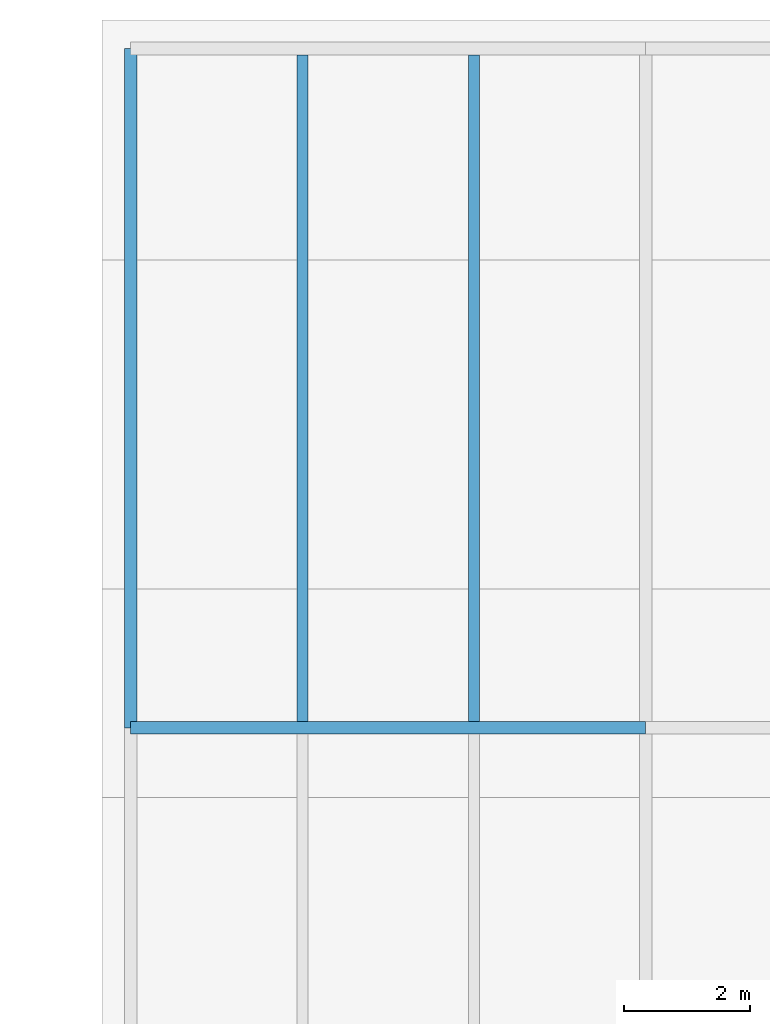
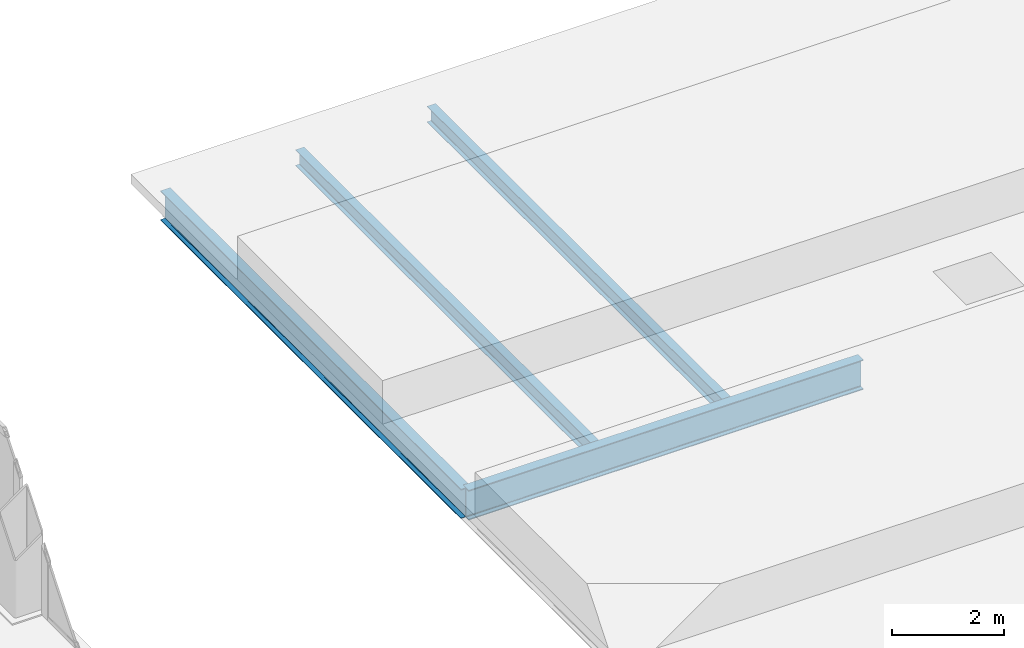
# One storey, part 21 of 30: 4 beams.
"""IFC4 building model written with IfcOpenShell, lengths in metres."""

from ifc_helpers import new_model, si_unit, direction, frame, origin, origin_2d, place, context, subcontext, project, spatial, i_section, extrude, material, material_profile, profile_set, type_object, element, save


model = new_model("IFC4")

# Units and contexts
model_context = context("Model", 3, precision=1e-05, world=origin(), true_north=direction((0.0, 1.0)))
body_context = subcontext(model_context, "Body", "Model", "MODEL_VIEW")
ifc_project = project(units=[si_unit("LENGTHUNIT", "METRE"), si_unit("AREAUNIT", "SQUARE_METRE"), si_unit("VOLUMEUNIT", "CUBIC_METRE"), si_unit("PLANEANGLEUNIT", "RADIAN"), si_unit("MASSUNIT", "GRAM", prefix="KILO")], contexts=[model_context])

# Site, building, storey
site_placement = place(None, origin())
site = spatial("IfcSite", under=ifc_project, at=site_placement, CompositionType="ELEMENT")
building_placement = place(site_placement, origin())
building = spatial("IfcBuilding", under=site, at=building_placement, Name="Noeulbin Bourse Tower", CompositionType="ELEMENT")
storey_placement = place(building_placement, frame((0.0, 0.0, 26.5)))
storey = spatial("IfcBuildingStorey", under=building, at=storey_placement, Name="L06", CompositionType="ELEMENT", Elevation=26.5)

# Beams
ifc_material = material(Name="Steel S355", Category="steel")
ifc_material_profile_1 = material_profile(ifc_material, i_section(OverallWidth=0.199951171875, OverallDepth=0.64990234375, WebThickness=0.010986328125, FlangeThickness=0.01904296875, FilletRadius=0.02197265625, at=origin_2d()), Name="H-650x200x11x19", Category="LoadBearing")
ifc_profile_set_1 = profile_set([ifc_material_profile_1], Name="Steel S355")
beam_type_1 = type_object("IfcBeamType", Name="BM-GRD-650", PredefinedType="USERDEFINED", material=ifc_profile_set_1)
beam_1_placement = place(storey_placement, frame((60.449951171875, 37.800048828125, -0.534912109375), z_axis=(1.0, 0.0, 0.0), x_axis=(0.0, 1.0, 0.0)))
element("IfcBeam", 1, at=beam_1_placement, inside=storey, type_object=beam_type_1, Name="Market Hall Girder EW L06-07", ObjectType="GIRDER", PredefinedType="USERDEFINED", context=body_context, shape_type="SweptSolid", body=[
    extrude(i_section(OverallWidth=0.199951171875, OverallDepth=0.64990234375, WebThickness=0.010986328125, FlangeThickness=0.01904296875, FilletRadius=0.02197265625, at=origin_2d()), origin(), (0.0, 0.0, 1.0), 8.150146484375),
])
beam_2_placement = place(storey_placement, frame((60.449951171875, 37.800048828125, -0.534912109375), z_axis=(0.0, 1.0, 0.0), x_axis=(-1.0, 0.0, 0.0)))
element("IfcBeam", 2, at=beam_2_placement, inside=storey, type_object=beam_type_1, Name="Market Hall Girder NS L06-14", ObjectType="GIRDER", PredefinedType="USERDEFINED", context=body_context, shape_type="SweptSolid", body=[
    extrude(i_section(OverallWidth=0.199951171875, OverallDepth=0.64990234375, WebThickness=0.010986328125, FlangeThickness=0.01904296875, FilletRadius=0.02197265625, at=origin_2d()), origin(), (0.0, 0.0, 1.0), 10.75),
])
ifc_material_profile_2 = material_profile(ifc_material, i_section(OverallWidth=0.175048828125, OverallDepth=0.35009765625, WebThickness=0.007080078125, FlangeThickness=0.010986328125, FilletRadius=0.013916015625, at=origin_2d()), Name="H-350x175x7x11", Category="LoadBearing")
ifc_profile_set_2 = profile_set([ifc_material_profile_2], Name="Steel S355")
beam_type_2 = type_object("IfcBeamType", Name="BM-JST-350", PredefinedType="JOIST", material=ifc_profile_set_2)
for number, where, z_axis, x_axis, name in (
    (3, (63.166748046875, 37.89990234375, -0.385009765625), (0.0, 1.0, 0.0), (-1.0, 0.0, 0.0), "Market Hall Secondary Joist L06-04"),
    (4, (65.88330078125, 37.89990234375, -0.385009765625), (0.0, 1.0, 0.0), (-1.0, 0.0, 0.0), "Market Hall Secondary Joist L06-08"),
):
    element("IfcBeam", number, at=place(storey_placement, frame(where, z_axis=z_axis, x_axis=x_axis)), inside=storey, type_object=beam_type_2, Name=name, PredefinedType="JOIST", context=body_context, shape_type="SweptSolid", body=[
        extrude(i_section(OverallWidth=0.175048828125, OverallDepth=0.35009765625, WebThickness=0.007080078125, FlangeThickness=0.010986328125, FilletRadius=0.013916015625, at=origin_2d()), origin(), (0.0, 0.0, 1.0), 10.550048828125),
    ])

save(model, "model.ifc")
